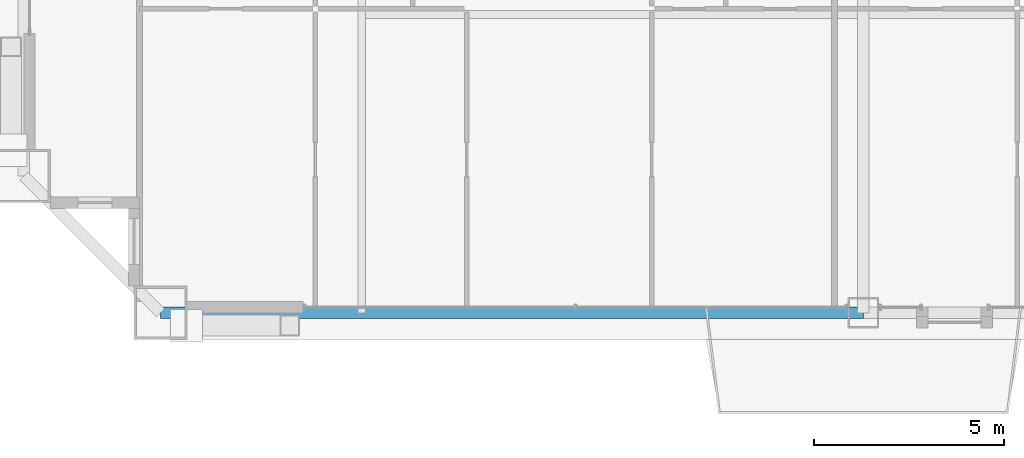
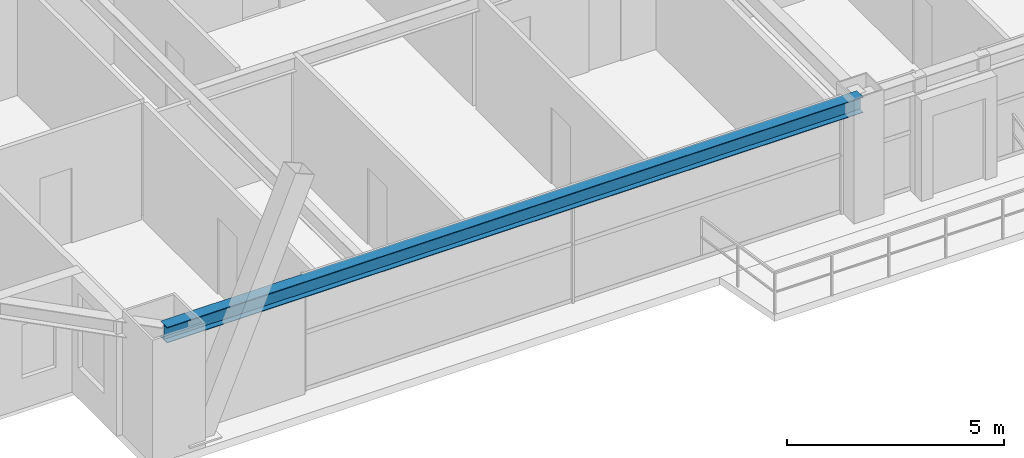
# One storey, part 5 of 45: 1 beam.
"""IFC4 building model written with IfcOpenShell, lengths in metres."""

from ifc_helpers import new_model, si_unit, direction, frame, origin, origin_2d, place, context, subcontext, project, spatial, i_section, extrude, source, transform, mapped, material, material_profile, profile_set, type_object, element, save


model = new_model("IFC4")

# Units and contexts
model_context = context("Model", 3, precision=1e-05, world=origin(), true_north=direction((0.0, 1.0)))
body_context = subcontext(model_context, "Body", "Model", "MODEL_VIEW")
ifc_project = project(units=[si_unit("LENGTHUNIT", "METRE"), si_unit("AREAUNIT", "SQUARE_METRE"), si_unit("VOLUMEUNIT", "CUBIC_METRE"), si_unit("PLANEANGLEUNIT", "RADIAN"), si_unit("MASSUNIT", "GRAM", prefix="KILO"), si_unit("THERMODYNAMICTEMPERATUREUNIT", "KELVIN"), si_unit("POWERUNIT", "WATT")], contexts=[model_context])

# Site, building, storey
site_placement = place(None, origin())
site = spatial("IfcSite", under=ifc_project, at=site_placement, CompositionType="ELEMENT")
building_placement = place(site_placement, origin())
building = spatial("IfcBuilding", under=site, at=building_placement, Name="Yuzanri Waterfront Tower", CompositionType="ELEMENT")
storey_placement = place(building_placement, frame((0.0, 0.0, 198.5)))
storey = spatial("IfcBuildingStorey", under=building, at=storey_placement, Name="L52", CompositionType="ELEMENT", Elevation=198.5)

# Beam
ifc_material = material(Name="Steel Q355B", Category="steel")
ifc_material_profile = material_profile(ifc_material, i_section(OverallWidth=0.300048828125, OverallDepth=0.43994140625, WebThickness=0.010986328125, FlangeThickness=0.01806640625, at=origin_2d()), Name="HM 440x300x11x18")
ifc_profile_set = profile_set([ifc_material_profile], Name="Steel Q355B")
beam_type = type_object("IfcBeamType", Name="Perimeter Spandrel Q355B HM 440x300", PredefinedType="SPANDREL", material=ifc_profile_set)
shared_shape = source(origin(), body_context, "Body", "SweptSolid", [
    extrude(i_section(OverallWidth=0.300048828125, OverallDepth=0.43994140625, WebThickness=0.010986328125, FlangeThickness=0.01806640625, at=origin_2d()), origin(), (0.0, 0.0, 1.0), 18.5),
])
beam_placement = place(storey_placement, frame((18.5, 3.699951171875, 3.06005859375), z_axis=(1.0, 0.0, 0.0), x_axis=(0.0, 1.0, 0.0)))
element("IfcBeam", 1, at=beam_placement, inside=storey, type_object=beam_type, Name="L52 Perimeter Spandrel S1-S2", PredefinedType="SPANDREL", context=body_context, shape_type="MappedRepresentation", body=[
    mapped(shared_shape, transform((0.0, 0.0, 0.0), scale=1.0)),
])

save(model, "model.ifc")
